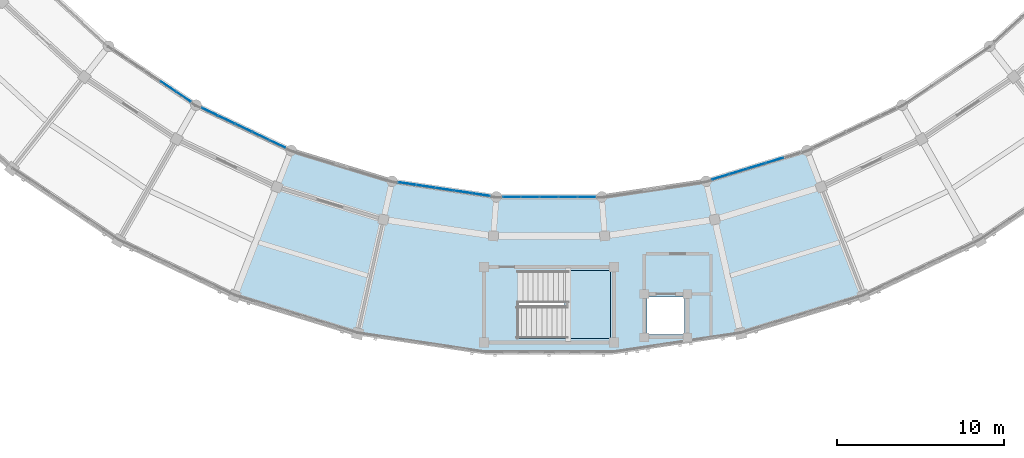
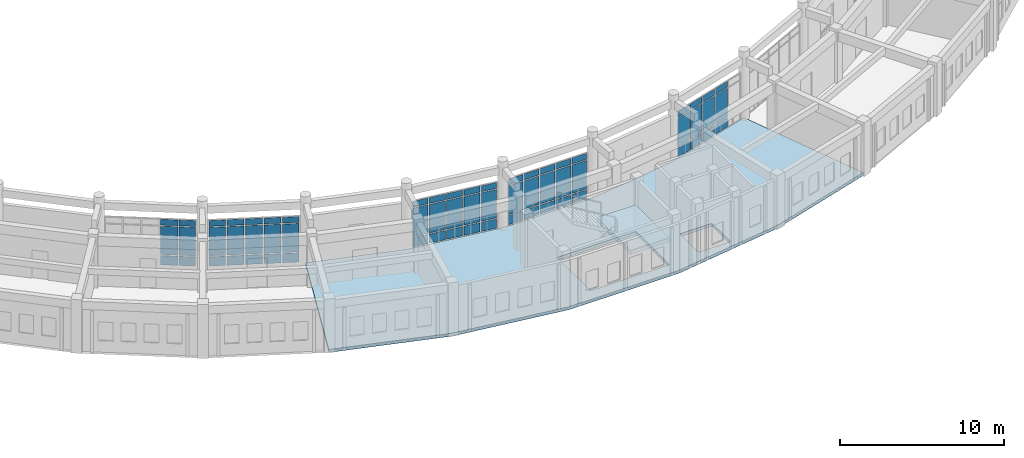
# One storey, part 105 of 159: 63 plates, 2 slabs, 6 elements without a shape of their own.
"""IFC4 building model written with IfcOpenShell, lengths in metres."""

from ifc_helpers import new_model, si_unit, direction, frame, origin, origin_2d, place, context, subcontext, project, spatial, polyline, rectangle, outline, extrude, material, layer, layer_set, type_object, element, aggregate, save


model = new_model("IFC4")

# Units and contexts
model_context = context("Model", 3, precision=1e-05, world=origin(), true_north=direction((0.0, 1.0)))
body_context = subcontext(model_context, "Body", "Model", "MODEL_VIEW")
ifc_project = project(units=[si_unit("LENGTHUNIT", "METRE"), si_unit("AREAUNIT", "SQUARE_METRE"), si_unit("VOLUMEUNIT", "CUBIC_METRE"), si_unit("PLANEANGLEUNIT", "RADIAN"), si_unit("MASSUNIT", "GRAM", prefix="KILO")], contexts=[model_context])

# Site, building, storey
site_placement = place(None, origin())
site = spatial("IfcSite", under=ifc_project, at=site_placement, CompositionType="ELEMENT")
building_placement = place(site_placement, origin())
building = spatial("IfcBuilding", under=site, at=building_placement, Name="Celadon Cloister-Ring School", CompositionType="ELEMENT")
storey_placement = place(building_placement, frame((0.0, 0.0, 4.5)))
storey = spatial("IfcBuildingStorey", under=building, at=storey_placement, Name="L01", CompositionType="ELEMENT", Elevation=4.5)

# Curtain wall, plates
ifc_material_1 = material(Name="Aluminium EN AW-6063 T6", Category="aluminium")
curtain_wall_type = type_object("IfcCurtainWallType", Name="CW-01", PredefinedType="USERDEFINED", material=ifc_material_1)
curtain_wall_1_placement = place(storey_placement, origin())
curtain_wall_1 = element("IfcCurtainWall", 1, at=curtain_wall_1_placement, inside=storey, type_object=curtain_wall_type, Name="Curtain Wall 0029", ObjectType="CURTAIN WALL", PredefinedType="USERDEFINED")
ifc_material_2 = material(Name="Tempered laminated insulating glass", Category="glass")
ifc_layer_1 = layer(ifc_material_2, 0.028076171875)
ifc_layer_set_1 = layer_set([ifc_layer_1], Name="Tempered laminated insulating glass")
plate_type = type_object("IfcPlateType", Name="CPN-02", PredefinedType="CURTAIN_PANEL", material=ifc_layer_set_1)
plate_1_placement = place(storey_placement, frame((64.165771484375, 23.098388671875, 0.074951171875), z_axis=(0.0, 0.0, 1.0), x_axis=(0.829271759206, -0.558845550563, 0.0)))
plate_1 = element("IfcPlate", 2, at=plate_1_placement, type_object=plate_type, Name="CW-01 panel 4.1", PredefinedType="CURTAIN_PANEL", context=body_context, shape_type="SweptSolid", body=[
    extrude(rectangle(XDim=1.0537109375, YDim=0.028076171875, at=origin_2d()), origin(), (0.0, 0.0, 1.0), 0.6875),
])
plate_2_placement = place(storey_placement, frame((64.165771484375, 23.098388671875, 0.83740234375), z_axis=(0.0, 0.0, 1.0), x_axis=(0.829271759206, -0.558845550563, 0.0)))
plate_2 = element("IfcPlate", 3, at=plate_2_placement, type_object=plate_type, Name="CW-01 panel 4.2", PredefinedType="CURTAIN_PANEL", context=body_context, shape_type="SweptSolid", body=[
    extrude(rectangle(XDim=1.0537109375, YDim=0.028076171875, at=origin_2d()), origin(), (0.0, 0.0, 1.0), 2.125),
])
plate_3_placement = place(storey_placement, frame((64.165771484375, 23.098388671875, 3.03759765625), z_axis=(0.0, 0.0, 1.0), x_axis=(0.829271759206, -0.558845550563, 0.0)))
plate_3 = element("IfcPlate", 4, at=plate_3_placement, type_object=plate_type, Name="CW-01 panel 4.3", PredefinedType="CURTAIN_PANEL", context=body_context, shape_type="SweptSolid", body=[
    extrude(rectangle(XDim=1.0537109375, YDim=0.028076171875, at=origin_2d()), origin(), (0.0, 0.0, 1.0), 0.4375),
])
plate_4_placement = place(storey_placement, frame((65.08935546875, 22.47607421875, 0.074951171875), z_axis=(0.0, 0.0, 1.0), x_axis=(0.829271759206, -0.558845550563, 0.0)))
plate_4 = element("IfcPlate", 5, at=plate_4_placement, type_object=plate_type, Name="CW-01 panel 5.1", PredefinedType="CURTAIN_PANEL", context=body_context, shape_type="SweptSolid", body=[
    extrude(rectangle(XDim=1.013671875, YDim=0.028076171875, at=origin_2d()), origin(), (0.0, 0.0, 1.0), 0.6875),
])
plate_5_placement = place(storey_placement, frame((65.08935546875, 22.47607421875, 0.83740234375), z_axis=(0.0, 0.0, 1.0), x_axis=(0.829271759206, -0.558845550563, 0.0)))
plate_5 = element("IfcPlate", 6, at=plate_5_placement, type_object=plate_type, Name="CW-01 panel 5.2", PredefinedType="CURTAIN_PANEL", context=body_context, shape_type="SweptSolid", body=[
    extrude(rectangle(XDim=1.013671875, YDim=0.028076171875, at=origin_2d()), origin(), (0.0, 0.0, 1.0), 2.125),
])
plate_6_placement = place(storey_placement, frame((65.08935546875, 22.47607421875, 3.03759765625), z_axis=(0.0, 0.0, 1.0), x_axis=(0.829271759206, -0.558845550563, 0.0)))
plate_6 = element("IfcPlate", 7, at=plate_6_placement, type_object=plate_type, Name="CW-01 panel 5.3", PredefinedType="CURTAIN_PANEL", context=body_context, shape_type="SweptSolid", body=[
    extrude(rectangle(XDim=1.013671875, YDim=0.028076171875, at=origin_2d()), origin(), (0.0, 0.0, 1.0), 0.4375),
])
aggregate(curtain_wall_1, [plate_1, plate_2, plate_3, plate_4, plate_5, plate_6])

curtain_wall_2_placement = place(storey_placement, origin())
curtain_wall_2 = element("IfcCurtainWall", 8, at=curtain_wall_2_placement, inside=storey, type_object=curtain_wall_type, Name="Curtain Wall 0030", ObjectType="CURTAIN WALL", PredefinedType="USERDEFINED")
plate_7_placement = place(storey_placement, frame((66.66796875, 21.573486328125, 0.074951171875), z_axis=(0.0, 0.0, 1.0), x_axis=(0.902733326361, -0.430200582842, 0.0)))
plate_7 = element("IfcPlate", 9, at=plate_7_placement, type_object=plate_type, Name="CW-01 panel 1.1", PredefinedType="CURTAIN_PANEL", context=body_context, shape_type="SweptSolid", body=[
    extrude(rectangle(XDim=1.013916015625, YDim=0.028076171875, at=origin_2d()), origin(), (0.0, 0.0, 1.0), 0.6875),
])
plate_8_placement = place(storey_placement, frame((66.66796875, 21.573486328125, 0.83740234375), z_axis=(0.0, 0.0, 1.0), x_axis=(0.902733326361, -0.430200582842, 0.0)))
plate_8 = element("IfcPlate", 10, at=plate_8_placement, type_object=plate_type, Name="CW-01 panel 1.2", PredefinedType="CURTAIN_PANEL", context=body_context, shape_type="SweptSolid", body=[
    extrude(rectangle(XDim=1.013916015625, YDim=0.028076171875, at=origin_2d()), origin(), (0.0, 0.0, 1.0), 2.125),
])
plate_9_placement = place(storey_placement, frame((66.66796875, 21.573486328125, 3.03759765625), z_axis=(0.0, 0.0, 1.0), x_axis=(0.902733326361, -0.430200582842, 0.0)))
plate_9 = element("IfcPlate", 11, at=plate_9_placement, type_object=plate_type, Name="CW-01 panel 1.3", PredefinedType="CURTAIN_PANEL", context=body_context, shape_type="SweptSolid", body=[
    extrude(rectangle(XDim=1.013916015625, YDim=0.028076171875, at=origin_2d()), origin(), (0.0, 0.0, 1.0), 0.4375),
])
plate_10_placement = place(storey_placement, frame((67.67333984375, 21.09423828125, 0.074951171875), z_axis=(0.0, 0.0, 1.0), x_axis=(0.902733326361, -0.430200582842, 0.0)))
plate_10 = element("IfcPlate", 12, at=plate_10_placement, type_object=plate_type, Name="CW-01 panel 2.1", PredefinedType="CURTAIN_PANEL", context=body_context, shape_type="SweptSolid", body=[
    extrude(rectangle(XDim=1.053955078125, YDim=0.028076171875, at=origin_2d()), origin(), (0.0, 0.0, 1.0), 0.6875),
])
plate_11_placement = place(storey_placement, frame((67.67333984375, 21.09423828125, 0.83740234375), z_axis=(0.0, 0.0, 1.0), x_axis=(0.902733326361, -0.430200582842, 0.0)))
plate_11 = element("IfcPlate", 13, at=plate_11_placement, type_object=plate_type, Name="CW-01 panel 2.2", PredefinedType="CURTAIN_PANEL", context=body_context, shape_type="SweptSolid", body=[
    extrude(rectangle(XDim=1.053955078125, YDim=0.028076171875, at=origin_2d()), origin(), (0.0, 0.0, 1.0), 2.125),
])
plate_12_placement = place(storey_placement, frame((67.67333984375, 21.09423828125, 3.03759765625), z_axis=(0.0, 0.0, 1.0), x_axis=(0.902733326361, -0.430200582842, 0.0)))
plate_12 = element("IfcPlate", 14, at=plate_12_placement, type_object=plate_type, Name="CW-01 panel 2.3", PredefinedType="CURTAIN_PANEL", context=body_context, shape_type="SweptSolid", body=[
    extrude(rectangle(XDim=1.053955078125, YDim=0.028076171875, at=origin_2d()), origin(), (0.0, 0.0, 1.0), 0.4375),
])
plate_13_placement = place(storey_placement, frame((68.697021484375, 20.6064453125, 0.074951171875), z_axis=(0.0, 0.0, 1.0), x_axis=(0.902733326361, -0.430200582842, 0.0)))
plate_13 = element("IfcPlate", 15, at=plate_13_placement, type_object=plate_type, Name="CW-01 panel 3.1", PredefinedType="CURTAIN_PANEL", context=body_context, shape_type="SweptSolid", body=[
    extrude(rectangle(XDim=1.053955078125, YDim=0.028076171875, at=origin_2d()), origin(), (0.0, 0.0, 1.0), 0.6875),
])
plate_14_placement = place(storey_placement, frame((68.697021484375, 20.6064453125, 0.83740234375), z_axis=(0.0, 0.0, 1.0), x_axis=(0.902733326361, -0.430200582842, 0.0)))
plate_14 = element("IfcPlate", 16, at=plate_14_placement, type_object=plate_type, Name="CW-01 panel 3.2", PredefinedType="CURTAIN_PANEL", context=body_context, shape_type="SweptSolid", body=[
    extrude(rectangle(XDim=1.053955078125, YDim=0.028076171875, at=origin_2d()), origin(), (0.0, 0.0, 1.0), 2.125),
])
plate_15_placement = place(storey_placement, frame((68.697021484375, 20.6064453125, 3.03759765625), z_axis=(0.0, 0.0, 1.0), x_axis=(0.902733326361, -0.430200582842, 0.0)))
plate_15 = element("IfcPlate", 17, at=plate_15_placement, type_object=plate_type, Name="CW-01 panel 3.3", PredefinedType="CURTAIN_PANEL", context=body_context, shape_type="SweptSolid", body=[
    extrude(rectangle(XDim=1.053955078125, YDim=0.028076171875, at=origin_2d()), origin(), (0.0, 0.0, 1.0), 0.4375),
])
plate_16_placement = place(storey_placement, frame((69.720703125, 20.11865234375, 0.074951171875), z_axis=(0.0, 0.0, 1.0), x_axis=(0.902733326361, -0.430200582842, 0.0)))
plate_16 = element("IfcPlate", 18, at=plate_16_placement, type_object=plate_type, Name="CW-01 panel 4.1", PredefinedType="CURTAIN_PANEL", context=body_context, shape_type="SweptSolid", body=[
    extrude(rectangle(XDim=1.053955078125, YDim=0.028076171875, at=origin_2d()), origin(), (0.0, 0.0, 1.0), 0.6875),
])
plate_17_placement = place(storey_placement, frame((69.720703125, 20.11865234375, 0.83740234375), z_axis=(0.0, 0.0, 1.0), x_axis=(0.902733326361, -0.430200582842, 0.0)))
plate_17 = element("IfcPlate", 19, at=plate_17_placement, type_object=plate_type, Name="CW-01 panel 4.2", PredefinedType="CURTAIN_PANEL", context=body_context, shape_type="SweptSolid", body=[
    extrude(rectangle(XDim=1.053955078125, YDim=0.028076171875, at=origin_2d()), origin(), (0.0, 0.0, 1.0), 2.125),
])
plate_18_placement = place(storey_placement, frame((69.720703125, 20.11865234375, 3.03759765625), z_axis=(0.0, 0.0, 1.0), x_axis=(0.902733326361, -0.430200582842, 0.0)))
plate_18 = element("IfcPlate", 20, at=plate_18_placement, type_object=plate_type, Name="CW-01 panel 4.3", PredefinedType="CURTAIN_PANEL", context=body_context, shape_type="SweptSolid", body=[
    extrude(rectangle(XDim=1.053955078125, YDim=0.028076171875, at=origin_2d()), origin(), (0.0, 0.0, 1.0), 0.4375),
])
plate_19_placement = place(storey_placement, frame((70.72607421875, 19.639404296875, 0.074951171875), z_axis=(0.0, 0.0, 1.0), x_axis=(0.902733326361, -0.430200582842, 0.0)))
plate_19 = element("IfcPlate", 21, at=plate_19_placement, type_object=plate_type, Name="CW-01 panel 5.1", PredefinedType="CURTAIN_PANEL", context=body_context, shape_type="SweptSolid", body=[
    extrude(rectangle(XDim=1.013916015625, YDim=0.028076171875, at=origin_2d()), origin(), (0.0, 0.0, 1.0), 0.6875),
])
plate_20_placement = place(storey_placement, frame((70.72607421875, 19.639404296875, 0.83740234375), z_axis=(0.0, 0.0, 1.0), x_axis=(0.902733326361, -0.430200582842, 0.0)))
plate_20 = element("IfcPlate", 22, at=plate_20_placement, type_object=plate_type, Name="CW-01 panel 5.2", PredefinedType="CURTAIN_PANEL", context=body_context, shape_type="SweptSolid", body=[
    extrude(rectangle(XDim=1.013916015625, YDim=0.028076171875, at=origin_2d()), origin(), (0.0, 0.0, 1.0), 2.125),
])
plate_21_placement = place(storey_placement, frame((70.72607421875, 19.639404296875, 3.03759765625), z_axis=(0.0, 0.0, 1.0), x_axis=(0.902733326361, -0.430200582842, 0.0)))
plate_21 = element("IfcPlate", 23, at=plate_21_placement, type_object=plate_type, Name="CW-01 panel 5.3", PredefinedType="CURTAIN_PANEL", context=body_context, shape_type="SweptSolid", body=[
    extrude(rectangle(XDim=1.013916015625, YDim=0.028076171875, at=origin_2d()), origin(), (0.0, 0.0, 1.0), 0.4375),
])
aggregate(curtain_wall_2, [plate_7, plate_8, plate_9, plate_10, plate_11, plate_12, plate_13, plate_14, plate_15, plate_16, plate_17, plate_18, plate_19, plate_20, plate_21])

curtain_wall_3_placement = place(storey_placement, origin())
curtain_wall_3 = element("IfcCurtainWall", 24, at=curtain_wall_3_placement, inside=storey, type_object=curtain_wall_type, Name="Curtain Wall 0031", ObjectType="CURTAIN WALL", PredefinedType="USERDEFINED")
plate_22_placement = place(storey_placement, frame((78.493408203125, 17.266357421875, 0.074951171875), z_axis=(0.0, 0.0, 1.0), x_axis=(0.989015135282, -0.147814282744, 0.0)))
plate_22 = element("IfcPlate", 25, at=plate_22_placement, type_object=plate_type, Name="CW-01 panel 1.1", PredefinedType="CURTAIN_PANEL", context=body_context, shape_type="SweptSolid", body=[
    extrude(rectangle(XDim=1.013916015625, YDim=0.028076171875, at=origin_2d()), origin(), (0.0, 0.0, 1.0), 0.6875),
])
plate_23_placement = place(storey_placement, frame((78.493408203125, 17.266357421875, 0.83740234375), z_axis=(0.0, 0.0, 1.0), x_axis=(0.989015135282, -0.147814282744, 0.0)))
plate_23 = element("IfcPlate", 26, at=plate_23_placement, type_object=plate_type, Name="CW-01 panel 1.2", PredefinedType="CURTAIN_PANEL", context=body_context, shape_type="SweptSolid", body=[
    extrude(rectangle(XDim=1.013916015625, YDim=0.028076171875, at=origin_2d()), origin(), (0.0, 0.0, 1.0), 2.125),
])
plate_24_placement = place(storey_placement, frame((78.493408203125, 17.266357421875, 3.03759765625), z_axis=(0.0, 0.0, 1.0), x_axis=(0.989015135282, -0.147814282744, 0.0)))
plate_24 = element("IfcPlate", 27, at=plate_24_placement, type_object=plate_type, Name="CW-01 panel 1.3", PredefinedType="CURTAIN_PANEL", context=body_context, shape_type="SweptSolid", body=[
    extrude(rectangle(XDim=1.013916015625, YDim=0.028076171875, at=origin_2d()), origin(), (0.0, 0.0, 1.0), 0.4375),
])
plate_25_placement = place(storey_placement, frame((79.59521484375, 17.1015625, 0.074951171875), z_axis=(0.0, 0.0, 1.0), x_axis=(0.989015135282, -0.147814282744, 0.0)))
plate_25 = element("IfcPlate", 28, at=plate_25_placement, type_object=plate_type, Name="CW-01 panel 2.1", PredefinedType="CURTAIN_PANEL", context=body_context, shape_type="SweptSolid", body=[
    extrude(rectangle(XDim=1.053955078125, YDim=0.028076171875, at=origin_2d()), origin(), (0.0, 0.0, 1.0), 0.6875),
])
plate_26_placement = place(storey_placement, frame((79.59521484375, 17.1015625, 0.83740234375), z_axis=(0.0, 0.0, 1.0), x_axis=(0.989015135282, -0.147814282744, 0.0)))
plate_26 = element("IfcPlate", 29, at=plate_26_placement, type_object=plate_type, Name="CW-01 panel 2.2", PredefinedType="CURTAIN_PANEL", context=body_context, shape_type="SweptSolid", body=[
    extrude(rectangle(XDim=1.053955078125, YDim=0.028076171875, at=origin_2d()), origin(), (0.0, 0.0, 1.0), 2.125),
])
plate_27_placement = place(storey_placement, frame((79.59521484375, 17.1015625, 3.03759765625), z_axis=(0.0, 0.0, 1.0), x_axis=(0.989015135282, -0.147814282744, 0.0)))
plate_27 = element("IfcPlate", 30, at=plate_27_placement, type_object=plate_type, Name="CW-01 panel 2.3", PredefinedType="CURTAIN_PANEL", context=body_context, shape_type="SweptSolid", body=[
    extrude(rectangle(XDim=1.053955078125, YDim=0.028076171875, at=origin_2d()), origin(), (0.0, 0.0, 1.0), 0.4375),
])
plate_28_placement = place(storey_placement, frame((80.716552734375, 16.93408203125, 0.074951171875), z_axis=(0.0, 0.0, 1.0), x_axis=(0.989015135282, -0.147814282744, 0.0)))
plate_28 = element("IfcPlate", 31, at=plate_28_placement, type_object=plate_type, Name="CW-01 panel 3.1", PredefinedType="CURTAIN_PANEL", context=body_context, shape_type="SweptSolid", body=[
    extrude(rectangle(XDim=1.053955078125, YDim=0.028076171875, at=origin_2d()), origin(), (0.0, 0.0, 1.0), 0.6875),
])
plate_29_placement = place(storey_placement, frame((80.716552734375, 16.93408203125, 0.83740234375), z_axis=(0.0, 0.0, 1.0), x_axis=(0.989015135282, -0.147814282744, 0.0)))
plate_29 = element("IfcPlate", 32, at=plate_29_placement, type_object=plate_type, Name="CW-01 panel 3.2", PredefinedType="CURTAIN_PANEL", context=body_context, shape_type="SweptSolid", body=[
    extrude(rectangle(XDim=1.053955078125, YDim=0.028076171875, at=origin_2d()), origin(), (0.0, 0.0, 1.0), 2.125),
])
plate_30_placement = place(storey_placement, frame((80.716552734375, 16.93408203125, 3.03759765625), z_axis=(0.0, 0.0, 1.0), x_axis=(0.989015135282, -0.147814282744, 0.0)))
plate_30 = element("IfcPlate", 33, at=plate_30_placement, type_object=plate_type, Name="CW-01 panel 3.3", PredefinedType="CURTAIN_PANEL", context=body_context, shape_type="SweptSolid", body=[
    extrude(rectangle(XDim=1.053955078125, YDim=0.028076171875, at=origin_2d()), origin(), (0.0, 0.0, 1.0), 0.4375),
])
plate_31_placement = place(storey_placement, frame((81.837890625, 16.766357421875, 0.074951171875), z_axis=(0.0, 0.0, 1.0), x_axis=(0.989015135282, -0.147814282744, 0.0)))
plate_31 = element("IfcPlate", 34, at=plate_31_placement, type_object=plate_type, Name="CW-01 panel 4.1", PredefinedType="CURTAIN_PANEL", context=body_context, shape_type="SweptSolid", body=[
    extrude(rectangle(XDim=1.053955078125, YDim=0.028076171875, at=origin_2d()), origin(), (0.0, 0.0, 1.0), 0.6875),
])
plate_32_placement = place(storey_placement, frame((81.837890625, 16.766357421875, 0.83740234375), z_axis=(0.0, 0.0, 1.0), x_axis=(0.989015135282, -0.147814282744, 0.0)))
plate_32 = element("IfcPlate", 35, at=plate_32_placement, type_object=plate_type, Name="CW-01 panel 4.2", PredefinedType="CURTAIN_PANEL", context=body_context, shape_type="SweptSolid", body=[
    extrude(rectangle(XDim=1.053955078125, YDim=0.028076171875, at=origin_2d()), origin(), (0.0, 0.0, 1.0), 2.125),
])
plate_33_placement = place(storey_placement, frame((81.837890625, 16.766357421875, 3.03759765625), z_axis=(0.0, 0.0, 1.0), x_axis=(0.989015135282, -0.147814282744, 0.0)))
plate_33 = element("IfcPlate", 36, at=plate_33_placement, type_object=plate_type, Name="CW-01 panel 4.3", PredefinedType="CURTAIN_PANEL", context=body_context, shape_type="SweptSolid", body=[
    extrude(rectangle(XDim=1.053955078125, YDim=0.028076171875, at=origin_2d()), origin(), (0.0, 0.0, 1.0), 0.4375),
])
plate_34_placement = place(storey_placement, frame((82.939453125, 16.601806640625, 0.074951171875), z_axis=(0.0, 0.0, 1.0), x_axis=(0.989015135282, -0.147814282744, 0.0)))
plate_34 = element("IfcPlate", 37, at=plate_34_placement, type_object=plate_type, Name="CW-01 panel 5.1", PredefinedType="CURTAIN_PANEL", context=body_context, shape_type="SweptSolid", body=[
    extrude(rectangle(XDim=1.013916015625, YDim=0.028076171875, at=origin_2d()), origin(), (0.0, 0.0, 1.0), 0.6875),
])
plate_35_placement = place(storey_placement, frame((82.939453125, 16.601806640625, 0.83740234375), z_axis=(0.0, 0.0, 1.0), x_axis=(0.989015135282, -0.147814282744, 0.0)))
plate_35 = element("IfcPlate", 38, at=plate_35_placement, type_object=plate_type, Name="CW-01 panel 5.2", PredefinedType="CURTAIN_PANEL", context=body_context, shape_type="SweptSolid", body=[
    extrude(rectangle(XDim=1.013916015625, YDim=0.028076171875, at=origin_2d()), origin(), (0.0, 0.0, 1.0), 2.125),
])
plate_36_placement = place(storey_placement, frame((82.939453125, 16.601806640625, 3.03759765625), z_axis=(0.0, 0.0, 1.0), x_axis=(0.989015135282, -0.147814282744, 0.0)))
plate_36 = element("IfcPlate", 39, at=plate_36_placement, type_object=plate_type, Name="CW-01 panel 5.3", PredefinedType="CURTAIN_PANEL", context=body_context, shape_type="SweptSolid", body=[
    extrude(rectangle(XDim=1.013916015625, YDim=0.028076171875, at=origin_2d()), origin(), (0.0, 0.0, 1.0), 0.4375),
])
aggregate(curtain_wall_3, [plate_22, plate_23, plate_24, plate_25, plate_26, plate_27, plate_28, plate_29, plate_30, plate_31, plate_32, plate_33, plate_34, plate_35, plate_36])

curtain_wall_4_placement = place(storey_placement, origin())
curtain_wall_4 = element("IfcCurtainWall", 40, at=curtain_wall_4_placement, inside=storey, type_object=curtain_wall_type, Name="Curtain Wall 0032", ObjectType="CURTAIN WALL", PredefinedType="USERDEFINED")
plate_37_placement = place(storey_placement, frame((84.752685546875, 16.467041015625, 0.074951171875), z_axis=(0.0, 0.0, 1.0), x_axis=(1.0, 0.0, 0.0)))
plate_37 = element("IfcPlate", 41, at=plate_37_placement, type_object=plate_type, Name="CW-01 panel 1.1", PredefinedType="CURTAIN_PANEL", context=body_context, shape_type="SweptSolid", body=[
    extrude(rectangle(XDim=1.013671875, YDim=0.028076171875, at=origin_2d()), origin(), (0.0, 0.0, 1.0), 0.6875),
])
plate_38_placement = place(storey_placement, frame((84.752685546875, 16.467041015625, 0.83740234375), z_axis=(0.0, 0.0, 1.0), x_axis=(1.0, 0.0, 0.0)))
plate_38 = element("IfcPlate", 42, at=plate_38_placement, type_object=plate_type, Name="CW-01 panel 1.2", PredefinedType="CURTAIN_PANEL", context=body_context, shape_type="SweptSolid", body=[
    extrude(rectangle(XDim=1.013671875, YDim=0.028076171875, at=origin_2d()), origin(), (0.0, 0.0, 1.0), 2.125),
])
plate_39_placement = place(storey_placement, frame((84.752685546875, 16.467041015625, 3.03759765625), z_axis=(0.0, 0.0, 1.0), x_axis=(1.0, 0.0, 0.0)))
plate_39 = element("IfcPlate", 43, at=plate_39_placement, type_object=plate_type, Name="CW-01 panel 1.3", PredefinedType="CURTAIN_PANEL", context=body_context, shape_type="SweptSolid", body=[
    extrude(rectangle(XDim=1.013671875, YDim=0.028076171875, at=origin_2d()), origin(), (0.0, 0.0, 1.0), 0.4375),
])
plate_40_placement = place(storey_placement, frame((85.866455078125, 16.467041015625, 0.074951171875), z_axis=(0.0, 0.0, 1.0), x_axis=(1.0, 0.0, 0.0)))
plate_40 = element("IfcPlate", 44, at=plate_40_placement, type_object=plate_type, Name="CW-01 panel 2.1", PredefinedType="CURTAIN_PANEL", context=body_context, shape_type="SweptSolid", body=[
    extrude(rectangle(XDim=1.0537109375, YDim=0.028076171875, at=origin_2d()), origin(), (0.0, 0.0, 1.0), 0.6875),
])
plate_41_placement = place(storey_placement, frame((85.866455078125, 16.467041015625, 0.83740234375), z_axis=(0.0, 0.0, 1.0), x_axis=(1.0, 0.0, 0.0)))
plate_41 = element("IfcPlate", 45, at=plate_41_placement, type_object=plate_type, Name="CW-01 panel 2.2", PredefinedType="CURTAIN_PANEL", context=body_context, shape_type="SweptSolid", body=[
    extrude(rectangle(XDim=1.0537109375, YDim=0.028076171875, at=origin_2d()), origin(), (0.0, 0.0, 1.0), 2.125),
])
plate_42_placement = place(storey_placement, frame((85.866455078125, 16.467041015625, 3.03759765625), z_axis=(0.0, 0.0, 1.0), x_axis=(1.0, 0.0, 0.0)))
plate_42 = element("IfcPlate", 46, at=plate_42_placement, type_object=plate_type, Name="CW-01 panel 2.3", PredefinedType="CURTAIN_PANEL", context=body_context, shape_type="SweptSolid", body=[
    extrude(rectangle(XDim=1.0537109375, YDim=0.028076171875, at=origin_2d()), origin(), (0.0, 0.0, 1.0), 0.4375),
])
plate_43_placement = place(storey_placement, frame((87.0, 16.467041015625, 0.074951171875), z_axis=(0.0, 0.0, 1.0), x_axis=(1.0, 0.0, 0.0)))
plate_43 = element("IfcPlate", 47, at=plate_43_placement, type_object=plate_type, Name="CW-01 panel 3.1", PredefinedType="CURTAIN_PANEL", context=body_context, shape_type="SweptSolid", body=[
    extrude(rectangle(XDim=1.0537109375, YDim=0.028076171875, at=origin_2d()), origin(), (0.0, 0.0, 1.0), 0.6875),
])
plate_44_placement = place(storey_placement, frame((87.0, 16.467041015625, 0.83740234375), z_axis=(0.0, 0.0, 1.0), x_axis=(1.0, 0.0, 0.0)))
plate_44 = element("IfcPlate", 48, at=plate_44_placement, type_object=plate_type, Name="CW-01 panel 3.2", PredefinedType="CURTAIN_PANEL", context=body_context, shape_type="SweptSolid", body=[
    extrude(rectangle(XDim=1.0537109375, YDim=0.028076171875, at=origin_2d()), origin(), (0.0, 0.0, 1.0), 2.125),
])
plate_45_placement = place(storey_placement, frame((87.0, 16.467041015625, 3.03759765625), z_axis=(0.0, 0.0, 1.0), x_axis=(1.0, 0.0, 0.0)))
plate_45 = element("IfcPlate", 49, at=plate_45_placement, type_object=plate_type, Name="CW-01 panel 3.3", PredefinedType="CURTAIN_PANEL", context=body_context, shape_type="SweptSolid", body=[
    extrude(rectangle(XDim=1.0537109375, YDim=0.028076171875, at=origin_2d()), origin(), (0.0, 0.0, 1.0), 0.4375),
])
plate_46_placement = place(storey_placement, frame((88.133544921875, 16.467041015625, 0.074951171875), z_axis=(0.0, 0.0, 1.0), x_axis=(1.0, 0.0, 0.0)))
plate_46 = element("IfcPlate", 50, at=plate_46_placement, type_object=plate_type, Name="CW-01 panel 4.1", PredefinedType="CURTAIN_PANEL", context=body_context, shape_type="SweptSolid", body=[
    extrude(rectangle(XDim=1.0537109375, YDim=0.028076171875, at=origin_2d()), origin(), (0.0, 0.0, 1.0), 0.6875),
])
plate_47_placement = place(storey_placement, frame((88.133544921875, 16.467041015625, 0.83740234375), z_axis=(0.0, 0.0, 1.0), x_axis=(1.0, 0.0, 0.0)))
plate_47 = element("IfcPlate", 51, at=plate_47_placement, type_object=plate_type, Name="CW-01 panel 4.2", PredefinedType="CURTAIN_PANEL", context=body_context, shape_type="SweptSolid", body=[
    extrude(rectangle(XDim=1.0537109375, YDim=0.028076171875, at=origin_2d()), origin(), (0.0, 0.0, 1.0), 2.125),
])
plate_48_placement = place(storey_placement, frame((88.133544921875, 16.467041015625, 3.03759765625), z_axis=(0.0, 0.0, 1.0), x_axis=(1.0, 0.0, 0.0)))
plate_48 = element("IfcPlate", 52, at=plate_48_placement, type_object=plate_type, Name="CW-01 panel 4.3", PredefinedType="CURTAIN_PANEL", context=body_context, shape_type="SweptSolid", body=[
    extrude(rectangle(XDim=1.0537109375, YDim=0.028076171875, at=origin_2d()), origin(), (0.0, 0.0, 1.0), 0.4375),
])
plate_49_placement = place(storey_placement, frame((89.247314453125, 16.467041015625, 0.074951171875), z_axis=(0.0, 0.0, 1.0), x_axis=(1.0, 0.0, 0.0)))
plate_49 = element("IfcPlate", 53, at=plate_49_placement, type_object=plate_type, Name="CW-01 panel 5.1", PredefinedType="CURTAIN_PANEL", context=body_context, shape_type="SweptSolid", body=[
    extrude(rectangle(XDim=1.013671875, YDim=0.028076171875, at=origin_2d()), origin(), (0.0, 0.0, 1.0), 0.6875),
])
plate_50_placement = place(storey_placement, frame((89.247314453125, 16.467041015625, 0.83740234375), z_axis=(0.0, 0.0, 1.0), x_axis=(1.0, 0.0, 0.0)))
plate_50 = element("IfcPlate", 54, at=plate_50_placement, type_object=plate_type, Name="CW-01 panel 5.2", PredefinedType="CURTAIN_PANEL", context=body_context, shape_type="SweptSolid", body=[
    extrude(rectangle(XDim=1.013671875, YDim=0.028076171875, at=origin_2d()), origin(), (0.0, 0.0, 1.0), 2.125),
])
plate_51_placement = place(storey_placement, frame((89.247314453125, 16.467041015625, 3.03759765625), z_axis=(0.0, 0.0, 1.0), x_axis=(1.0, 0.0, 0.0)))
plate_51 = element("IfcPlate", 55, at=plate_51_placement, type_object=plate_type, Name="CW-01 panel 5.3", PredefinedType="CURTAIN_PANEL", context=body_context, shape_type="SweptSolid", body=[
    extrude(rectangle(XDim=1.013671875, YDim=0.028076171875, at=origin_2d()), origin(), (0.0, 0.0, 1.0), 0.4375),
])
aggregate(curtain_wall_4, [plate_37, plate_38, plate_39, plate_40, plate_41, plate_42, plate_43, plate_44, plate_45, plate_46, plate_47, plate_48, plate_49, plate_50, plate_51])

curtain_wall_5_placement = place(storey_placement, origin())
curtain_wall_5 = element("IfcCurtainWall", 56, at=curtain_wall_5_placement, inside=storey, type_object=curtain_wall_type, Name="Curtain Wall 0033", ObjectType="CURTAIN WALL", PredefinedType="USERDEFINED")
plate_52_placement = place(storey_placement, frame((97.2802734375, 17.66748046875, 0.074951171875), z_axis=(0.0, 0.0, 1.0), x_axis=(0.956372111578, 0.2921513036, 0.0)))
plate_52 = element("IfcPlate", 57, at=plate_52_placement, type_object=plate_type, Name="CW-01 panel 1.1", PredefinedType="CURTAIN_PANEL", context=body_context, shape_type="SweptSolid", body=[
    extrude(rectangle(XDim=1.013671875, YDim=0.028076171875, at=origin_2d()), origin(), (0.0, 0.0, 1.0), 0.6875),
])
plate_53_placement = place(storey_placement, frame((97.2802734375, 17.66748046875, 0.83740234375), z_axis=(0.0, 0.0, 1.0), x_axis=(0.956372111578, 0.2921513036, 0.0)))
plate_53 = element("IfcPlate", 58, at=plate_53_placement, type_object=plate_type, Name="CW-01 panel 1.2", PredefinedType="CURTAIN_PANEL", context=body_context, shape_type="SweptSolid", body=[
    extrude(rectangle(XDim=1.013671875, YDim=0.028076171875, at=origin_2d()), origin(), (0.0, 0.0, 1.0), 2.125),
])
plate_54_placement = place(storey_placement, frame((97.2802734375, 17.66748046875, 3.03759765625), z_axis=(0.0, 0.0, 1.0), x_axis=(0.956372111578, 0.2921513036, 0.0)))
plate_54 = element("IfcPlate", 59, at=plate_54_placement, type_object=plate_type, Name="CW-01 panel 1.3", PredefinedType="CURTAIN_PANEL", context=body_context, shape_type="SweptSolid", body=[
    extrude(rectangle(XDim=1.013671875, YDim=0.028076171875, at=origin_2d()), origin(), (0.0, 0.0, 1.0), 0.4375),
])
plate_55_placement = place(storey_placement, frame((98.34521484375, 17.992919921875, 0.074951171875), z_axis=(0.0, 0.0, 1.0), x_axis=(0.956372111578, 0.2921513036, 0.0)))
plate_55 = element("IfcPlate", 60, at=plate_55_placement, type_object=plate_type, Name="CW-01 panel 2.1", PredefinedType="CURTAIN_PANEL", context=body_context, shape_type="SweptSolid", body=[
    extrude(rectangle(XDim=1.0537109375, YDim=0.028076171875, at=origin_2d()), origin(), (0.0, 0.0, 1.0), 0.6875),
])
plate_56_placement = place(storey_placement, frame((98.34521484375, 17.992919921875, 0.83740234375), z_axis=(0.0, 0.0, 1.0), x_axis=(0.956372111578, 0.2921513036, 0.0)))
plate_56 = element("IfcPlate", 61, at=plate_56_placement, type_object=plate_type, Name="CW-01 panel 2.2", PredefinedType="CURTAIN_PANEL", context=body_context, shape_type="SweptSolid", body=[
    extrude(rectangle(XDim=1.0537109375, YDim=0.028076171875, at=origin_2d()), origin(), (0.0, 0.0, 1.0), 2.125),
])
plate_57_placement = place(storey_placement, frame((98.34521484375, 17.992919921875, 3.03759765625), z_axis=(0.0, 0.0, 1.0), x_axis=(0.956372111578, 0.2921513036, 0.0)))
plate_57 = element("IfcPlate", 62, at=plate_57_placement, type_object=plate_type, Name="CW-01 panel 2.3", PredefinedType="CURTAIN_PANEL", context=body_context, shape_type="SweptSolid", body=[
    extrude(rectangle(XDim=1.0537109375, YDim=0.028076171875, at=origin_2d()), origin(), (0.0, 0.0, 1.0), 0.4375),
])
plate_58_placement = place(storey_placement, frame((99.429443359375, 18.323974609375, 0.074951171875), z_axis=(0.0, 0.0, 1.0), x_axis=(0.956372111578, 0.2921513036, 0.0)))
plate_58 = element("IfcPlate", 63, at=plate_58_placement, type_object=plate_type, Name="CW-01 panel 3.1", PredefinedType="CURTAIN_PANEL", context=body_context, shape_type="SweptSolid", body=[
    extrude(rectangle(XDim=1.0537109375, YDim=0.028076171875, at=origin_2d()), origin(), (0.0, 0.0, 1.0), 0.6875),
])
plate_59_placement = place(storey_placement, frame((99.429443359375, 18.323974609375, 0.83740234375), z_axis=(0.0, 0.0, 1.0), x_axis=(0.956372111578, 0.2921513036, 0.0)))
plate_59 = element("IfcPlate", 64, at=plate_59_placement, type_object=plate_type, Name="CW-01 panel 3.2", PredefinedType="CURTAIN_PANEL", context=body_context, shape_type="SweptSolid", body=[
    extrude(rectangle(XDim=1.0537109375, YDim=0.028076171875, at=origin_2d()), origin(), (0.0, 0.0, 1.0), 2.125),
])
plate_60_placement = place(storey_placement, frame((99.429443359375, 18.323974609375, 3.03759765625), z_axis=(0.0, 0.0, 1.0), x_axis=(0.956372111578, 0.2921513036, 0.0)))
plate_60 = element("IfcPlate", 65, at=plate_60_placement, type_object=plate_type, Name="CW-01 panel 3.3", PredefinedType="CURTAIN_PANEL", context=body_context, shape_type="SweptSolid", body=[
    extrude(rectangle(XDim=1.0537109375, YDim=0.028076171875, at=origin_2d()), origin(), (0.0, 0.0, 1.0), 0.4375),
])
plate_61_placement = place(storey_placement, frame((100.513671875, 18.6552734375, 0.074951171875), z_axis=(0.0, 0.0, 1.0), x_axis=(0.956372111578, 0.2921513036, 0.0)))
plate_61 = element("IfcPlate", 66, at=plate_61_placement, type_object=plate_type, Name="CW-01 panel 4.1", PredefinedType="CURTAIN_PANEL", context=body_context, shape_type="SweptSolid", body=[
    extrude(rectangle(XDim=1.0537109375, YDim=0.028076171875, at=origin_2d()), origin(), (0.0, 0.0, 1.0), 0.6875),
])
plate_62_placement = place(storey_placement, frame((100.513671875, 18.6552734375, 0.83740234375), z_axis=(0.0, 0.0, 1.0), x_axis=(0.956372111578, 0.2921513036, 0.0)))
plate_62 = element("IfcPlate", 67, at=plate_62_placement, type_object=plate_type, Name="CW-01 panel 4.2", PredefinedType="CURTAIN_PANEL", context=body_context, shape_type="SweptSolid", body=[
    extrude(rectangle(XDim=1.0537109375, YDim=0.028076171875, at=origin_2d()), origin(), (0.0, 0.0, 1.0), 2.125),
])
plate_63_placement = place(storey_placement, frame((100.513671875, 18.6552734375, 3.03759765625), z_axis=(0.0, 0.0, 1.0), x_axis=(0.956372111578, 0.2921513036, 0.0)))
plate_63 = element("IfcPlate", 68, at=plate_63_placement, type_object=plate_type, Name="CW-01 panel 4.3", PredefinedType="CURTAIN_PANEL", context=body_context, shape_type="SweptSolid", body=[
    extrude(rectangle(XDim=1.0537109375, YDim=0.028076171875, at=origin_2d()), origin(), (0.0, 0.0, 1.0), 0.4375),
])
aggregate(curtain_wall_5, [plate_52, plate_53, plate_54, plate_55, plate_56, plate_57, plate_58, plate_59, plate_60, plate_61, plate_62, plate_63])

# Slab
ifc_material_3 = material(Name="Concrete C35/45", Category="concrete")
ifc_layer_2 = layer(ifc_material_3, 0.219970703125)
ifc_layer_set_2 = layer_set([ifc_layer_2], Name="Concrete C35/45")
slab_type_1 = type_object("IfcSlabType", Name="SL-FL2", PredefinedType="FLOOR", material=ifc_layer_set_2)
slab_1_placement = place(storey_placement, frame((0.0, 0.0, -0.219970703125)))
element("IfcSlab", 69, at=slab_1_placement, inside=storey, type_object=slab_type_1, Name="Ring L01 Sector 0011", PredefinedType="FLOOR", context=body_context, shape_type="SweptSolid", body=[
    extrude(outline(polyline([(71.549072265625, 19.2470703125), (77.592041015625, 17.40087890625), (83.841064453125, 16.467041015625), (90.158935546875, 16.467041015625), (96.407958984375, 17.40087890625), (102.450927734375, 19.2470703125), (105.837890625, 10.531982421875), (98.470947265625, 8.281005859375), (90.85205078125, 7.14306640625), (83.14794921875, 7.14306640625), (75.529052734375, 8.281005859375), (68.162109375, 10.531982421875), (71.549072265625, 19.2470703125)]), holes=[polyline([(92.8798828125, 8.22998046875), (95.1201171875, 8.22998046875), (95.1201171875, 10.469970703125), (92.8798828125, 10.469970703125), (92.8798828125, 8.22998046875)]), polyline([(85.139892578125, 7.969970703125), (90.679931640625, 7.969970703125), (90.679931640625, 12.050048828125), (85.139892578125, 12.050048828125), (85.139892578125, 7.969970703125)])]), origin(), (0.0, 0.0, 1.0), 0.219970703125),
])

# Stair, slab
ifc_material_4 = material(Name="Concrete C35/45", Category="concrete")
stair_type = type_object("IfcStairType", Name="ST-04", PredefinedType="HALF_TURN_STAIR", material=ifc_material_4)
stair_placement = place(storey_placement, origin())
stair = element("IfcStair", 70, at=stair_placement, inside=storey, type_object=stair_type, Name="Exit Stair ST-V1S L01", PredefinedType="HALF_TURN_STAIR")
ifc_material_5 = material(Name="Concrete C35/45", Category="concrete")
ifc_layer_3 = layer(ifc_material_5, 0.300048828125)
ifc_layer_set_3 = layer_set([ifc_layer_3], Name="Concrete C35/45")
slab_type_2 = type_object("IfcSlabType", Name="SL-LD2", PredefinedType="LANDING", material=ifc_layer_set_3)
slab_2_placement = place(storey_placement, frame((0.0, 0.0, 1.699951171875)))
slab_2 = element("IfcSlab", 71, at=slab_2_placement, type_object=slab_type_2, Name="ST-04 landing 1", PredefinedType="LANDING", context=body_context, shape_type="SweptSolid", body=[
    extrude(outline(polyline([(87.929931640625, 7.969970703125), (90.679931640625, 7.969970703125), (90.679931640625, 12.050048828125), (87.929931640625, 12.050048828125), (87.929931640625, 7.969970703125)])), origin(), (0.0, 0.0, 1.0), 0.300048828125),
])
aggregate(stair, [slab_2])

save(model, "model.ifc")
